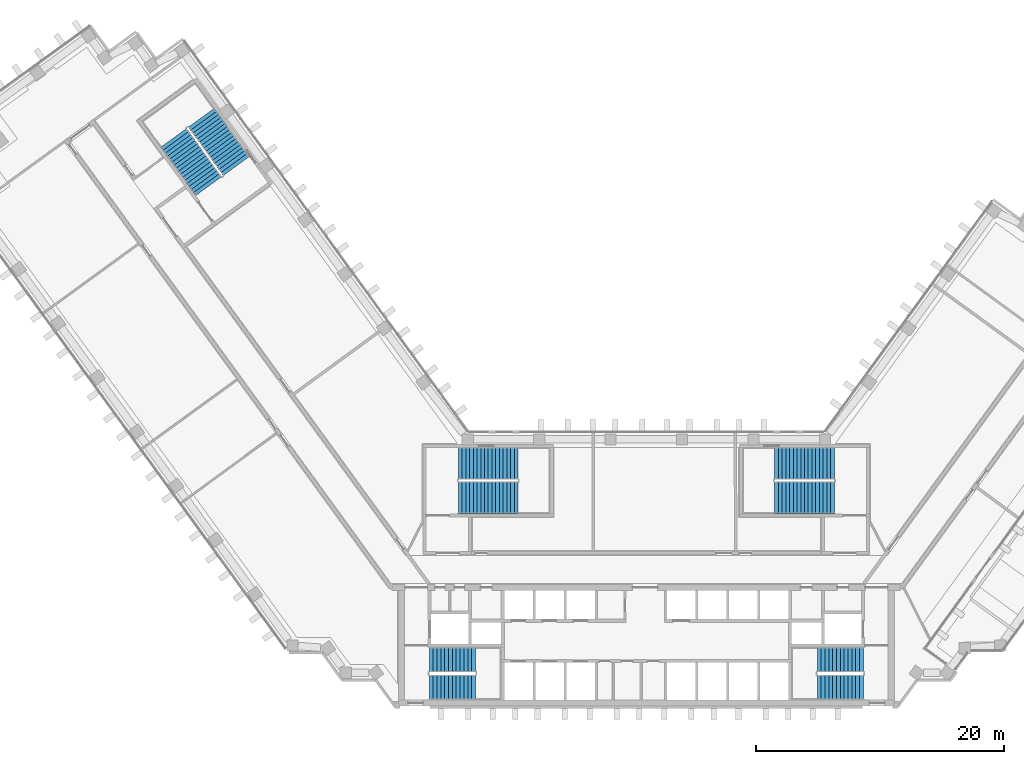
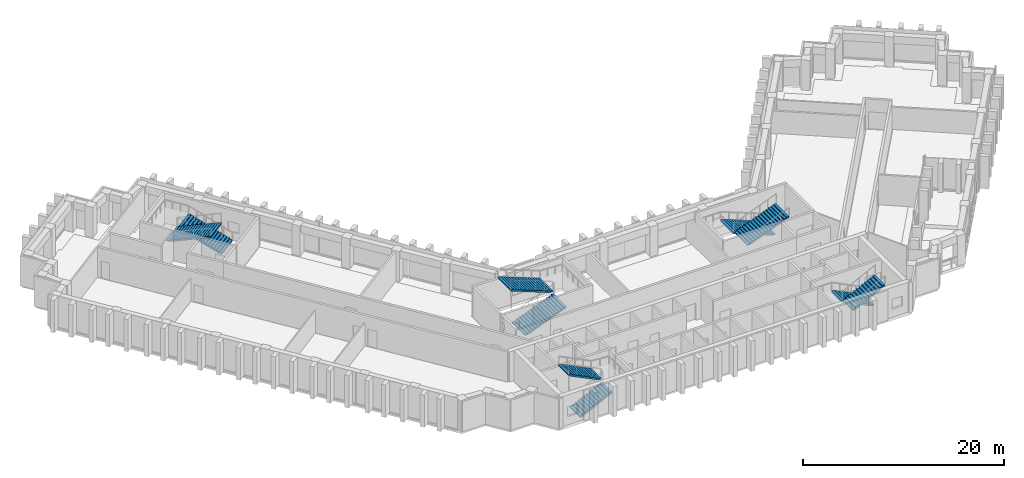
# One storey, part 11 of 14: 10 stair flights, 5 elements without a shape of their own.
"""IFC4 building model written with IfcOpenShell, lengths in metres."""

import ifcopenshell
import ifcopenshell.guid

model = None  # the IFC model being written
_history = None  # IfcOwnerHistory: only IFC2X3 demands one
_inside = {}  # id of a spatial element -> (the spatial element, [elements in it])
_under = {}  # id of a project, library or spatial element -> (it, [spatial elements below it])
_declared = {}  # id of a project -> (the project, [libraries it declares])
_typed = {}  # id of a type object -> (the type object, [elements of that type])
_made_of = {}  # id of a material, layer set ... -> (it, [elements and type objects made of it])


def new_model(schema):
    """Start an empty IFC model of exactly this schema.

    Asked for "IFC4X3", IfcOpenShell would pick the latest addendum, in which some entities
    have other attributes; the version numbers below select the first issue.
    IFC2X3 requires an IfcOwnerHistory on every rooted entity: one is made here for all.
    """
    global model, _history
    if schema == "IFC4X3":
        model = ifcopenshell.file(schema_version=(4, 3, 0, 0))
    else:
        model = ifcopenshell.file(schema=schema)
    _inside.clear()
    _under.clear()
    _declared.clear()
    _typed.clear()
    _made_of.clear()
    _history = None
    if model.schema == "IFC2X3":
        org = make("IfcOrganization", Name="unknown")
        user = make(
            "IfcPersonAndOrganization",
            ThePerson=make("IfcPerson", FamilyName="unknown"),
            TheOrganization=org,
        )
        app = make(
            "IfcApplication",
            ApplicationDeveloper=org,
            Version="unknown",
            ApplicationFullName="unknown",
            ApplicationIdentifier="unknown",
        )
        _history = make(
            "IfcOwnerHistory",
            OwningUser=user,
            OwningApplication=app,
            ChangeAction="ADDED",
            CreationDate=0,
        )
    return model


def make(cls, **values):
    """One entity of the class cls with the attributes given. An attribute that is None is left unset."""
    return model.create_entity(
        cls, **{name: value for name, value in values.items() if value is not None}
    )


def rooted(cls, **values):
    """An entity with a GlobalId (a new one), such as an element, a storey or a relation."""
    return make(cls, GlobalId=ifcopenshell.guid.new(), OwnerHistory=_history, **values)


def si_unit(unit_type, name, prefix=None):
    """IfcSIUnit, for example si_unit("LENGTHUNIT", "METRE", prefix="MILLI")."""
    return make("IfcSIUnit", UnitType=unit_type, Prefix=prefix, Name=name)


def assignment(units):
    """IfcUnitAssignment: the units of a project."""
    return None if units is None else make("IfcUnitAssignment", Units=units)


def point(xyz):
    """IfcCartesianPoint."""
    return None if xyz is None else make("IfcCartesianPoint", Coordinates=xyz)


def direction(xyz):
    """IfcDirection."""
    return None if xyz is None else make("IfcDirection", DirectionRatios=xyz)


def frame(location, z_axis=None, x_axis=None):
    """IfcAxis2Placement3D, a coordinate frame: its origin and axes. An axis left out is left unset."""
    return make(
        "IfcAxis2Placement3D",
        Location=point(location),
        Axis=direction(z_axis),
        RefDirection=direction(x_axis),
    )


def origin():
    """The frame at (0, 0, 0) with its axes left unset."""
    return frame((0.0, 0.0, 0.0))


def place(relative_to, where):
    """IfcLocalPlacement: puts the frame where relative to a parent placement (None: the world)."""
    return make(
        "IfcLocalPlacement", PlacementRelTo=relative_to, RelativePlacement=where
    )


def context(
    kind, dimensions, precision=None, world=None, true_north=None, identifier=None
):
    """IfcGeometricRepresentationContext, for example the 3D "Model" context."""
    return make(
        "IfcGeometricRepresentationContext",
        ContextIdentifier=identifier,
        ContextType=kind,
        CoordinateSpaceDimension=dimensions,
        Precision=precision,
        WorldCoordinateSystem=world,
        TrueNorth=true_north,
    )


def subcontext(parent, identifier, kind, view, scale=None):
    """IfcGeometricRepresentationSubContext, for example "Body" below "Model"."""
    return make(
        "IfcGeometricRepresentationSubContext",
        ContextIdentifier=identifier,
        ContextType=kind,
        ParentContext=parent,
        TargetScale=scale,
        TargetView=view,
    )


def project(units=None, contexts=None):
    """IfcProject with its units and contexts."""
    return rooted(
        "IfcProject",
        Name="project",
        RepresentationContexts=contexts,
        UnitsInContext=assignment(units),
    )


def spatial(cls, under=None, at=None, **own):
    """A site, building, storey or space (cls), placed at a placement, below another one or the project."""
    s = rooted(cls, ObjectPlacement=at, **own)
    if under is not None:
        _under.setdefault(under.id(), (under, []))[1].append(s)
    return s


def polyline(points):
    """IfcPolyline through the points."""
    return make("IfcPolyline", Points=[point(p) for p in points])


def outline(outer, holes=None, kind="AREA"):
    """IfcArbitraryClosedProfileDef: a profile drawn as a closed curve; with holes, ...WithVoids."""
    if holes is None:
        return make("IfcArbitraryClosedProfileDef", ProfileType=kind, OuterCurve=outer)
    return make(
        "IfcArbitraryProfileDefWithVoids",
        ProfileType=kind,
        OuterCurve=outer,
        InnerCurves=holes,
    )


def extrude(swept, where, along, depth):
    """IfcExtrudedAreaSolid: the profile swept, set in the frame where, extruded along a direction by depth."""
    return make(
        "IfcExtrudedAreaSolid",
        SweptArea=swept,
        Position=where,
        ExtrudedDirection=direction(along),
        Depth=depth,
    )


def shape(context_of_items, identifier, shape_type, items):
    """IfcShapeRepresentation: the items that make up one representation, for example the "Body"."""
    return make(
        "IfcShapeRepresentation",
        ContextOfItems=context_of_items,
        RepresentationIdentifier=identifier,
        RepresentationType=shape_type,
        Items=items,
    )


def material(Name=None, Category=None):
    """IfcMaterial."""
    return make("IfcMaterial", Name=Name, Category=Category)


def made_of(thing, what):
    """Note that an element or type object is made of a material, layer set ...; save() writes the relation."""
    if what is not None:
        _made_of.setdefault(what.id(), (what, []))[1].append(thing)
    return thing


def type_object(cls, material=None, **own):
    """A type object (cls), such as IfcWallType, which elements share."""
    return made_of(rooted(cls, **own), material)


def element(
    cls,
    number,
    at=None,
    inside=None,
    cuts=None,
    type_object=None,
    material=None,
    context=None,
    identifier="Body",
    shape_type=None,
    held_by="IfcProductDefinitionShape",
    body=None,
    shapes=None,
    **own,
):
    """One element of the class cls, such as IfcWall. Its Tag is "e" and its number.

    at: its placement. inside: the storey or other place that contains it. cuts: it is an
    opening in that element (IfcRelVoidsElement). A single representation is given by context,
    identifier, shape_type and body (its items); several are given by shapes. held_by: the class
    of the entity that holds the representations. save() writes the other relations.
    """
    e = rooted(cls, Tag="e%d" % number, ObjectPlacement=at, **own)
    if body is not None:
        shapes = [shape(context, identifier, shape_type, body)]
    if shapes is not None:
        e.Representation = make(held_by, Representations=shapes)
    if inside is not None:
        _inside.setdefault(inside.id(), (inside, []))[1].append(e)
    if cuts is not None:
        rooted(
            "IfcRelVoidsElement", RelatingBuildingElement=cuts, RelatedOpeningElement=e
        )
    if type_object is not None:
        _typed.setdefault(type_object.id(), (type_object, []))[1].append(e)
    return made_of(e, material)


def aggregate(whole, parts):
    """IfcRelAggregates: a whole, such as a stair, and the parts it consists of."""
    return rooted("IfcRelAggregates", RelatingObject=whole, RelatedObjects=parts)


def save(model, path):
    """Write the relations noted so far, then the file.

    IfcRelAggregates (storeys below a building ...), IfcRelContainedInSpatialStructure (elements
    in a storey), IfcRelDefinesByType, IfcRelAssociatesMaterial and IfcRelDeclares: one each for
    every whole, place, type object, material and project.
    """
    for whole, parts in _under.values():
        aggregate(whole, parts)
    for where, things in _inside.values():
        rooted(
            "IfcRelContainedInSpatialStructure",
            RelatedElements=things,
            RelatingStructure=where,
        )
    for kind, things in _typed.values():
        rooted("IfcRelDefinesByType", RelatedObjects=things, RelatingType=kind)
    for what, things in _made_of.values():
        rooted("IfcRelAssociatesMaterial", RelatedObjects=things, RelatingMaterial=what)
    for by, libraries in _declared.values():
        rooted("IfcRelDeclares", RelatingContext=by, RelatedDefinitions=libraries)
    model.write(path)


model = new_model("IFC4")

# Units and contexts
model_context = context("Model", 3, precision=1e-05, world=origin(), true_north=direction((0.0, 1.0)))
body_context = subcontext(model_context, "Body", "Model", "MODEL_VIEW")
ifc_project = project(units=[si_unit("LENGTHUNIT", "METRE"), si_unit("AREAUNIT", "SQUARE_METRE"), si_unit("VOLUMEUNIT", "CUBIC_METRE"), si_unit("PLANEANGLEUNIT", "RADIAN"), si_unit("MASSUNIT", "GRAM", prefix="KILO")], contexts=[model_context])

# Site, building, storey
site_placement = place(None, origin())
site = spatial("IfcSite", under=ifc_project, at=site_placement, CompositionType="ELEMENT")
building_placement = place(site_placement, origin())
building = spatial("IfcBuilding", under=site, at=building_placement, Name="Quipu Civic Tower", CompositionType="ELEMENT")
storey_placement = place(building_placement, frame((0.0, 0.0, 105.0)))
storey = spatial("IfcBuildingStorey", under=building, at=storey_placement, Name="L24", CompositionType="ELEMENT", Elevation=105.0)

# Stair, stair flights
ifc_material_1 = material(Name="Concrete C40/50", Category="concrete")
stair_type_1 = type_object("IfcStairType", Name="Half turn stair 2000", PredefinedType="HALF_TURN_STAIR", material=ifc_material_1)
stair_1_placement = place(storey_placement, origin())
stair_1 = element("IfcStair", 1, at=stair_1_placement, inside=storey, type_object=stair_type_1, Name="Exit stair 1", PredefinedType="HALF_TURN_STAIR")
ifc_material_2 = material(Name="Concrete C40/50", Category="concrete")
stair_flight_type_1 = type_object("IfcStairFlightType", Name="Stair flight 2000", PredefinedType="STRAIGHT", material=ifc_material_2)
stair_flight_1_placement = place(storey_placement, frame((-17.5, -9.5, 0.0), z_axis=(0.0, 0.0, 1.0), x_axis=(1.0, 0.0, 0.0)))
stair_flight_1 = element("IfcStairFlight", 2, at=stair_flight_1_placement, type_object=stair_flight_type_1, Name="ST-1 flight 1", NumberOfRisers=13, NumberOfTreads=12, PredefinedType="STRAIGHT", RiserHeight=0.153846154, TreadLength=0.31, context=body_context, shape_type="SweptSolid", body=[
    extrude(outline(polyline([(0.0, 0.0), (0.0, 0.15380859375), (0.31005859375, 0.15380859375), (0.31005859375, 0.3076171875), (0.6201171875, 0.3076171875), (0.6201171875, 0.46142578125), (0.929931640625, 0.46142578125), (0.929931640625, 0.615478515625), (1.239990234375, 0.615478515625), (1.239990234375, 0.769287109375), (1.550048828125, 0.769287109375), (1.550048828125, 0.923095703125), (1.860107421875, 0.923095703125), (1.860107421875, 1.076904296875), (2.169921875, 1.076904296875), (2.169921875, 1.230712890625), (2.47998046875, 1.230712890625), (2.47998046875, 1.384521484375), (2.7900390625, 1.384521484375), (2.7900390625, 1.53857421875), (3.10009765625, 1.53857421875), (3.10009765625, 1.6923828125), (3.409912109375, 1.6923828125), (3.409912109375, 1.84619140625), (3.719970703125, 1.84619140625), (3.719970703125, 2.0), (3.719970703125, 1.6787109375), (0.337158203125, 0.0), (0.0, 0.0)])), frame((0.0, 1.0, 0.0), z_axis=(0.0, -1.0, 0.0), x_axis=(1.0, 0.0, 0.0)), (0.0, 0.0, 1.0), 2.0),
])
stair_flight_2_placement = place(storey_placement, frame((-13.780029296875, -7.25, 2.0), z_axis=(0.0, 0.0, 1.0), x_axis=(-1.0, 0.0, 0.0)))
stair_flight_2 = element("IfcStairFlight", 3, at=stair_flight_2_placement, type_object=stair_flight_type_1, Name="ST-1 flight 2", NumberOfRisers=13, NumberOfTreads=12, PredefinedType="STRAIGHT", RiserHeight=0.153846154, TreadLength=0.31, context=body_context, shape_type="SweptSolid", body=[
    extrude(outline(polyline([(0.0, 0.0), (0.0, 0.15380859375), (0.31005859375, 0.15380859375), (0.31005859375, 0.3076171875), (0.6201171875, 0.3076171875), (0.6201171875, 0.46142578125), (0.929931640625, 0.46142578125), (0.929931640625, 0.615478515625), (1.239990234375, 0.615478515625), (1.239990234375, 0.769287109375), (1.550048828125, 0.769287109375), (1.550048828125, 0.923095703125), (1.860107421875, 0.923095703125), (1.860107421875, 1.076904296875), (2.169921875, 1.076904296875), (2.169921875, 1.230712890625), (2.47998046875, 1.230712890625), (2.47998046875, 1.384521484375), (2.7900390625, 1.384521484375), (2.7900390625, 1.53857421875), (3.10009765625, 1.53857421875), (3.10009765625, 1.6923828125), (3.409912109375, 1.6923828125), (3.409912109375, 1.84619140625), (3.719970703125, 1.84619140625), (3.719970703125, 2.0), (3.719970703125, 1.6787109375), (0.337158203125, 0.0), (0.0, 0.0)])), frame((0.0, 1.0, 0.0), z_axis=(0.0, -1.0, 0.0), x_axis=(1.0, 0.0, 0.0)), (0.0, 0.0, 1.0), 2.0),
])
aggregate(stair_1, [stair_flight_1, stair_flight_2])

stair_2_placement = place(storey_placement, origin())
stair_2 = element("IfcStair", 4, at=stair_2_placement, inside=storey, type_object=stair_type_1, Name="Exit stair 2", PredefinedType="HALF_TURN_STAIR")
stair_flight_3_placement = place(storey_placement, frame((17.5, -7.25, 0.0), z_axis=(0.0, 0.0, 1.0), x_axis=(-1.0, 0.0, 0.0)))
stair_flight_3 = element("IfcStairFlight", 5, at=stair_flight_3_placement, type_object=stair_flight_type_1, Name="ST-2 flight 1", NumberOfRisers=13, NumberOfTreads=12, PredefinedType="STRAIGHT", RiserHeight=0.153846154, TreadLength=0.31, context=body_context, shape_type="SweptSolid", body=[
    extrude(outline(polyline([(0.0, 0.0), (0.0, 0.15380859375), (0.31005859375, 0.15380859375), (0.31005859375, 0.3076171875), (0.6201171875, 0.3076171875), (0.6201171875, 0.46142578125), (0.929931640625, 0.46142578125), (0.929931640625, 0.615478515625), (1.239990234375, 0.615478515625), (1.239990234375, 0.769287109375), (1.550048828125, 0.769287109375), (1.550048828125, 0.923095703125), (1.860107421875, 0.923095703125), (1.860107421875, 1.076904296875), (2.169921875, 1.076904296875), (2.169921875, 1.230712890625), (2.47998046875, 1.230712890625), (2.47998046875, 1.384521484375), (2.7900390625, 1.384521484375), (2.7900390625, 1.53857421875), (3.10009765625, 1.53857421875), (3.10009765625, 1.6923828125), (3.409912109375, 1.6923828125), (3.409912109375, 1.84619140625), (3.719970703125, 1.84619140625), (3.719970703125, 2.0), (3.719970703125, 1.6787109375), (0.337158203125, 0.0), (0.0, 0.0)])), frame((0.0, 1.0, 0.0), z_axis=(0.0, -1.0, 0.0), x_axis=(1.0, 0.0, 0.0)), (0.0, 0.0, 1.0), 2.0),
])
stair_flight_4_placement = place(storey_placement, frame((13.780029296875, -9.5, 2.0), z_axis=(0.0, 0.0, 1.0), x_axis=(1.0, 0.0, 0.0)))
stair_flight_4 = element("IfcStairFlight", 6, at=stair_flight_4_placement, type_object=stair_flight_type_1, Name="ST-2 flight 2", NumberOfRisers=13, NumberOfTreads=12, PredefinedType="STRAIGHT", RiserHeight=0.153846154, TreadLength=0.31, context=body_context, shape_type="SweptSolid", body=[
    extrude(outline(polyline([(0.0, 0.0), (0.0, 0.15380859375), (0.31005859375, 0.15380859375), (0.31005859375, 0.3076171875), (0.6201171875, 0.3076171875), (0.6201171875, 0.46142578125), (0.929931640625, 0.46142578125), (0.929931640625, 0.615478515625), (1.239990234375, 0.615478515625), (1.239990234375, 0.769287109375), (1.550048828125, 0.769287109375), (1.550048828125, 0.923095703125), (1.860107421875, 0.923095703125), (1.860107421875, 1.076904296875), (2.169921875, 1.076904296875), (2.169921875, 1.230712890625), (2.47998046875, 1.230712890625), (2.47998046875, 1.384521484375), (2.7900390625, 1.384521484375), (2.7900390625, 1.53857421875), (3.10009765625, 1.53857421875), (3.10009765625, 1.6923828125), (3.409912109375, 1.6923828125), (3.409912109375, 1.84619140625), (3.719970703125, 1.84619140625), (3.719970703125, 2.0), (3.719970703125, 1.6787109375), (0.337158203125, 0.0), (0.0, 0.0)])), frame((0.0, 1.0, 0.0), z_axis=(0.0, -1.0, 0.0), x_axis=(1.0, 0.0, 0.0)), (0.0, 0.0, 1.0), 2.0),
])
aggregate(stair_2, [stair_flight_3, stair_flight_4])

ifc_material_3 = material(Name="Concrete C40/50", Category="concrete")
stair_type_2 = type_object("IfcStairType", Name="Half turn stair 2600", PredefinedType="HALF_TURN_STAIR", material=ifc_material_3)
stair_3_placement = place(storey_placement, origin())
stair_3 = element("IfcStair", 7, at=stair_3_placement, inside=storey, type_object=stair_type_2, Name="Exit stair 3", PredefinedType="HALF_TURN_STAIR")
ifc_material_4 = material(Name="Concrete C40/50", Category="concrete")
stair_flight_type_2 = type_object("IfcStairFlightType", Name="Stair flight 2600", PredefinedType="STRAIGHT", material=ifc_material_4)
stair_flight_5_placement = place(storey_placement, frame((-15.14990234375, 5.800048828125, 0.0), z_axis=(0.0, 0.0, 1.0), x_axis=(1.0, 0.0, 0.0)))
stair_flight_5 = element("IfcStairFlight", 8, at=stair_flight_5_placement, type_object=stair_flight_type_2, Name="ST-3 flight 1", NumberOfRisers=17, NumberOfTreads=16, PredefinedType="STRAIGHT", RiserHeight=0.117647059, TreadLength=0.3, context=body_context, shape_type="SweptSolid", body=[
    extrude(outline(polyline([(0.0, 0.0), (0.0, 0.11767578125), (0.300048828125, 0.11767578125), (0.300048828125, 0.2353515625), (0.60009765625, 0.2353515625), (0.60009765625, 0.35302734375), (0.89990234375, 0.35302734375), (0.89990234375, 0.470703125), (1.199951171875, 0.470703125), (1.199951171875, 0.588134765625), (1.5, 0.588134765625), (1.5, 0.705810546875), (1.800048828125, 0.705810546875), (1.800048828125, 0.823486328125), (2.10009765625, 0.823486328125), (2.10009765625, 0.941162109375), (2.39990234375, 0.941162109375), (2.39990234375, 1.058837890625), (2.699951171875, 1.058837890625), (2.699951171875, 1.176513671875), (3.0, 1.176513671875), (3.0, 1.294189453125), (3.300048828125, 1.294189453125), (3.300048828125, 1.411865234375), (3.60009765625, 1.411865234375), (3.60009765625, 1.529296875), (3.89990234375, 1.529296875), (3.89990234375, 1.64697265625), (4.199951171875, 1.64697265625), (4.199951171875, 1.7646484375), (4.5, 1.7646484375), (4.5, 1.88232421875), (4.800048828125, 1.88232421875), (4.800048828125, 2.0), (4.800048828125, 1.721435546875), (0.41064453125, 0.0), (0.0, 0.0)])), frame((0.0, 1.300048828125, 0.0), z_axis=(0.0, -1.0, 0.0), x_axis=(1.0, 0.0, 0.0)), (0.0, 0.0, 1.0), 2.60009765625),
])
stair_flight_6_placement = place(storey_placement, frame((-10.35009765625, 8.550048828125, 2.0), z_axis=(0.0, 0.0, 1.0), x_axis=(-1.0, 0.0, 0.0)))
stair_flight_6 = element("IfcStairFlight", 9, at=stair_flight_6_placement, type_object=stair_flight_type_2, Name="ST-3 flight 2", NumberOfRisers=17, NumberOfTreads=16, PredefinedType="STRAIGHT", RiserHeight=0.117647059, TreadLength=0.3, context=body_context, shape_type="SweptSolid", body=[
    extrude(outline(polyline([(0.0, 0.0), (0.0, 0.11767578125), (0.300048828125, 0.11767578125), (0.300048828125, 0.2353515625), (0.60009765625, 0.2353515625), (0.60009765625, 0.35302734375), (0.89990234375, 0.35302734375), (0.89990234375, 0.470703125), (1.199951171875, 0.470703125), (1.199951171875, 0.588134765625), (1.5, 0.588134765625), (1.5, 0.705810546875), (1.800048828125, 0.705810546875), (1.800048828125, 0.823486328125), (2.10009765625, 0.823486328125), (2.10009765625, 0.941162109375), (2.39990234375, 0.941162109375), (2.39990234375, 1.058837890625), (2.699951171875, 1.058837890625), (2.699951171875, 1.176513671875), (3.0, 1.176513671875), (3.0, 1.294189453125), (3.300048828125, 1.294189453125), (3.300048828125, 1.411865234375), (3.60009765625, 1.411865234375), (3.60009765625, 1.529296875), (3.89990234375, 1.529296875), (3.89990234375, 1.64697265625), (4.199951171875, 1.64697265625), (4.199951171875, 1.7646484375), (4.5, 1.7646484375), (4.5, 1.88232421875), (4.800048828125, 1.88232421875), (4.800048828125, 2.0), (4.800048828125, 1.721435546875), (0.41064453125, 0.0), (0.0, 0.0)])), frame((0.0, 1.300048828125, 0.0), z_axis=(0.0, -1.0, 0.0), x_axis=(1.0, 0.0, 0.0)), (0.0, 0.0, 1.0), 2.60009765625),
])
aggregate(stair_3, [stair_flight_5, stair_flight_6])

stair_4_placement = place(storey_placement, origin())
stair_4 = element("IfcStair", 10, at=stair_4_placement, inside=storey, type_object=stair_type_2, Name="Exit stair 4", PredefinedType="HALF_TURN_STAIR")
stair_flight_7_placement = place(storey_placement, frame((15.14990234375, 8.550048828125, 0.0), z_axis=(0.0, 0.0, 1.0), x_axis=(-1.0, 0.0, 0.0)))
stair_flight_7 = element("IfcStairFlight", 11, at=stair_flight_7_placement, type_object=stair_flight_type_2, Name="ST-4 flight 1", NumberOfRisers=17, NumberOfTreads=16, PredefinedType="STRAIGHT", RiserHeight=0.117647059, TreadLength=0.3, context=body_context, shape_type="SweptSolid", body=[
    extrude(outline(polyline([(0.0, 0.0), (0.0, 0.11767578125), (0.300048828125, 0.11767578125), (0.300048828125, 0.2353515625), (0.60009765625, 0.2353515625), (0.60009765625, 0.35302734375), (0.89990234375, 0.35302734375), (0.89990234375, 0.470703125), (1.199951171875, 0.470703125), (1.199951171875, 0.588134765625), (1.5, 0.588134765625), (1.5, 0.705810546875), (1.800048828125, 0.705810546875), (1.800048828125, 0.823486328125), (2.10009765625, 0.823486328125), (2.10009765625, 0.941162109375), (2.39990234375, 0.941162109375), (2.39990234375, 1.058837890625), (2.699951171875, 1.058837890625), (2.699951171875, 1.176513671875), (3.0, 1.176513671875), (3.0, 1.294189453125), (3.300048828125, 1.294189453125), (3.300048828125, 1.411865234375), (3.60009765625, 1.411865234375), (3.60009765625, 1.529296875), (3.89990234375, 1.529296875), (3.89990234375, 1.64697265625), (4.199951171875, 1.64697265625), (4.199951171875, 1.7646484375), (4.5, 1.7646484375), (4.5, 1.88232421875), (4.800048828125, 1.88232421875), (4.800048828125, 2.0), (4.800048828125, 1.721435546875), (0.41064453125, 0.0), (0.0, 0.0)])), frame((0.0, 1.300048828125, 0.0), z_axis=(0.0, -1.0, 0.0), x_axis=(1.0, 0.0, 0.0)), (0.0, 0.0, 1.0), 2.60009765625),
])
stair_flight_8_placement = place(storey_placement, frame((10.35009765625, 5.800048828125, 2.0), z_axis=(0.0, 0.0, 1.0), x_axis=(1.0, 0.0, 0.0)))
stair_flight_8 = element("IfcStairFlight", 12, at=stair_flight_8_placement, type_object=stair_flight_type_2, Name="ST-4 flight 2", NumberOfRisers=17, NumberOfTreads=16, PredefinedType="STRAIGHT", RiserHeight=0.117647059, TreadLength=0.3, context=body_context, shape_type="SweptSolid", body=[
    extrude(outline(polyline([(0.0, 0.0), (0.0, 0.11767578125), (0.300048828125, 0.11767578125), (0.300048828125, 0.2353515625), (0.60009765625, 0.2353515625), (0.60009765625, 0.35302734375), (0.89990234375, 0.35302734375), (0.89990234375, 0.470703125), (1.199951171875, 0.470703125), (1.199951171875, 0.588134765625), (1.5, 0.588134765625), (1.5, 0.705810546875), (1.800048828125, 0.705810546875), (1.800048828125, 0.823486328125), (2.10009765625, 0.823486328125), (2.10009765625, 0.941162109375), (2.39990234375, 0.941162109375), (2.39990234375, 1.058837890625), (2.699951171875, 1.058837890625), (2.699951171875, 1.176513671875), (3.0, 1.176513671875), (3.0, 1.294189453125), (3.300048828125, 1.294189453125), (3.300048828125, 1.411865234375), (3.60009765625, 1.411865234375), (3.60009765625, 1.529296875), (3.89990234375, 1.529296875), (3.89990234375, 1.64697265625), (4.199951171875, 1.64697265625), (4.199951171875, 1.7646484375), (4.5, 1.7646484375), (4.5, 1.88232421875), (4.800048828125, 1.88232421875), (4.800048828125, 2.0), (4.800048828125, 1.721435546875), (0.41064453125, 0.0), (0.0, 0.0)])), frame((0.0, 1.300048828125, 0.0), z_axis=(0.0, -1.0, 0.0), x_axis=(1.0, 0.0, 0.0)), (0.0, 0.0, 1.0), 2.60009765625),
])
aggregate(stair_4, [stair_flight_7, stair_flight_8])

stair_5_placement = place(storey_placement, origin())
stair_5 = element("IfcStair", 13, at=stair_5_placement, inside=storey, type_object=stair_type_2, Name="Exit stair 6", PredefinedType="HALF_TURN_STAIR")
stair_flight_9_placement = place(storey_placement, frame((-33.067626953125, 32.5322265625, 0.0), z_axis=(0.0, 0.0, 1.0), x_axis=(-0.587785252292, 0.809016994375, 0.0)))
stair_flight_9 = element("IfcStairFlight", 14, at=stair_flight_9_placement, type_object=stair_flight_type_2, Name="ST-6 flight 1", NumberOfRisers=17, NumberOfTreads=16, PredefinedType="STRAIGHT", RiserHeight=0.117647059, TreadLength=0.3, context=body_context, shape_type="SweptSolid", body=[
    extrude(outline(polyline([(0.0, 0.0), (0.0, 0.11767578125), (0.300048828125, 0.11767578125), (0.300048828125, 0.2353515625), (0.60009765625, 0.2353515625), (0.60009765625, 0.35302734375), (0.89990234375, 0.35302734375), (0.89990234375, 0.470703125), (1.199951171875, 0.470703125), (1.199951171875, 0.588134765625), (1.5, 0.588134765625), (1.5, 0.705810546875), (1.800048828125, 0.705810546875), (1.800048828125, 0.823486328125), (2.10009765625, 0.823486328125), (2.10009765625, 0.941162109375), (2.39990234375, 0.941162109375), (2.39990234375, 1.058837890625), (2.699951171875, 1.058837890625), (2.699951171875, 1.176513671875), (3.0, 1.176513671875), (3.0, 1.294189453125), (3.300048828125, 1.294189453125), (3.300048828125, 1.411865234375), (3.60009765625, 1.411865234375), (3.60009765625, 1.529296875), (3.89990234375, 1.529296875), (3.89990234375, 1.64697265625), (4.199951171875, 1.64697265625), (4.199951171875, 1.7646484375), (4.5, 1.7646484375), (4.5, 1.88232421875), (4.800048828125, 1.88232421875), (4.800048828125, 2.0), (4.800048828125, 1.721435546875), (0.41064453125, 0.0), (0.0, 0.0)])), frame((0.0, 1.300048828125, 0.0), z_axis=(0.0, -1.0, 0.0), x_axis=(1.0, 0.0, 0.0)), (0.0, 0.0, 1.0), 2.60009765625),
])
stair_flight_10_placement = place(storey_placement, frame((-38.11376953125, 34.799072265625, 2.0), z_axis=(0.0, 0.0, 1.0), x_axis=(0.587785252292, -0.809016994375, 0.0)))
stair_flight_10 = element("IfcStairFlight", 15, at=stair_flight_10_placement, type_object=stair_flight_type_2, Name="ST-6 flight 2", NumberOfRisers=17, NumberOfTreads=16, PredefinedType="STRAIGHT", RiserHeight=0.117647059, TreadLength=0.3, context=body_context, shape_type="SweptSolid", body=[
    extrude(outline(polyline([(0.0, 0.0), (0.0, 0.11767578125), (0.300048828125, 0.11767578125), (0.300048828125, 0.2353515625), (0.60009765625, 0.2353515625), (0.60009765625, 0.35302734375), (0.89990234375, 0.35302734375), (0.89990234375, 0.470703125), (1.199951171875, 0.470703125), (1.199951171875, 0.588134765625), (1.5, 0.588134765625), (1.5, 0.705810546875), (1.800048828125, 0.705810546875), (1.800048828125, 0.823486328125), (2.10009765625, 0.823486328125), (2.10009765625, 0.941162109375), (2.39990234375, 0.941162109375), (2.39990234375, 1.058837890625), (2.699951171875, 1.058837890625), (2.699951171875, 1.176513671875), (3.0, 1.176513671875), (3.0, 1.294189453125), (3.300048828125, 1.294189453125), (3.300048828125, 1.411865234375), (3.60009765625, 1.411865234375), (3.60009765625, 1.529296875), (3.89990234375, 1.529296875), (3.89990234375, 1.64697265625), (4.199951171875, 1.64697265625), (4.199951171875, 1.7646484375), (4.5, 1.7646484375), (4.5, 1.88232421875), (4.800048828125, 1.88232421875), (4.800048828125, 2.0), (4.800048828125, 1.721435546875), (0.41064453125, 0.0), (0.0, 0.0)])), frame((0.0, 1.300048828125, 0.0), z_axis=(0.0, -1.0, 0.0), x_axis=(1.0, 0.0, 0.0)), (0.0, 0.0, 1.0), 2.60009765625),
])
aggregate(stair_5, [stair_flight_9, stair_flight_10])

save(model, "model.ifc")
